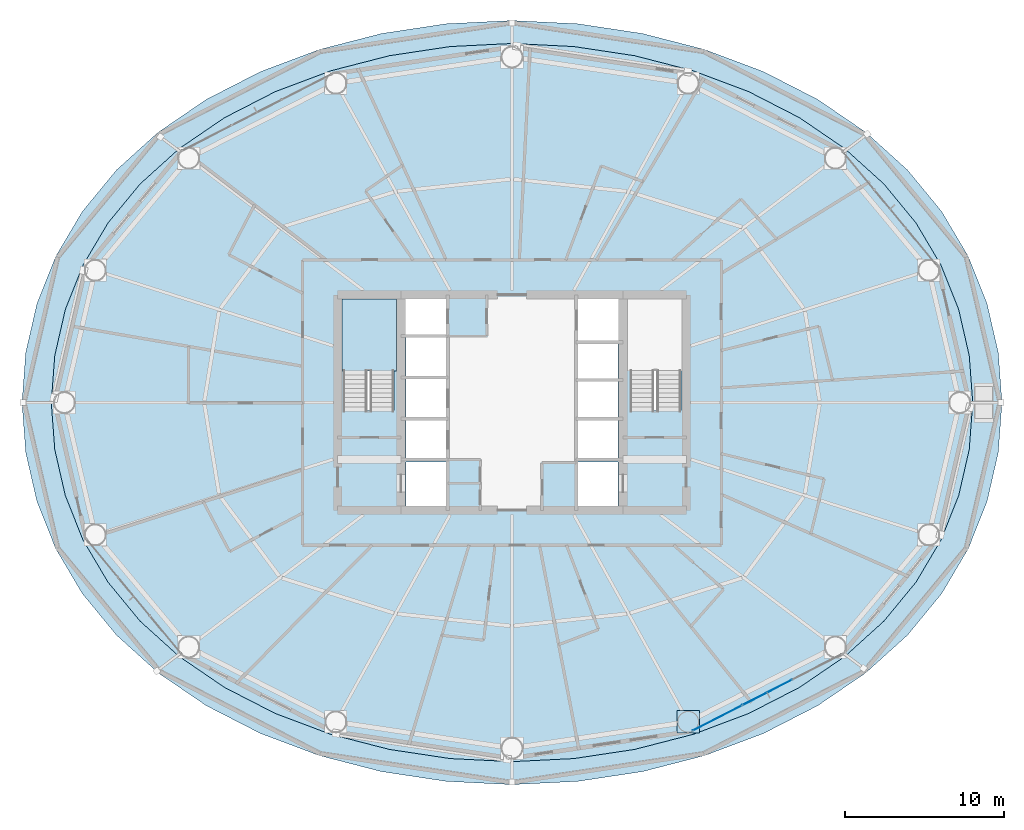
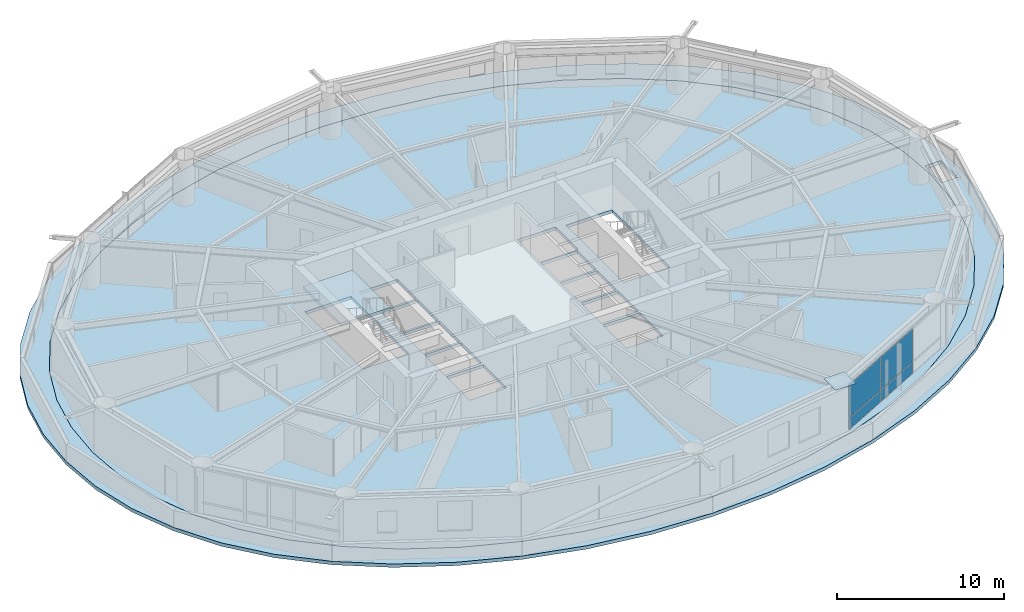
# One storey, part 15 of 25: 5 plates, 3 slabs, 2 elements without a shape of their own.
"""IFC4 building model written with IfcOpenShell, lengths in metres."""

from ifc_helpers import new_model, si_unit, direction, frame, origin, origin_2d, place, context, subcontext, project, spatial, polyline, rectangle, outline, extrude, material, layer, layer_set, type_object, element, aggregate, save


model = new_model("IFC4")

# Units and contexts
model_context = context("Model", 3, precision=1e-05, world=origin(), true_north=direction((0.0, 1.0)))
body_context = subcontext(model_context, "Body", "Model", "MODEL_VIEW")
ifc_project = project(units=[si_unit("LENGTHUNIT", "METRE"), si_unit("AREAUNIT", "SQUARE_METRE"), si_unit("VOLUMEUNIT", "CUBIC_METRE"), si_unit("PLANEANGLEUNIT", "RADIAN"), si_unit("MASSUNIT", "GRAM", prefix="KILO")], contexts=[model_context])

# Site, building, storey
site_placement = place(None, origin())
site = spatial("IfcSite", under=ifc_project, at=site_placement, CompositionType="ELEMENT")
building_placement = place(site_placement, origin())
building = spatial("IfcBuilding", under=site, at=building_placement, Name="Sarneth Arch Tower", CompositionType="ELEMENT")
storey_placement = place(building_placement, frame((0.0, 0.0, 84.0)))
storey = spatial("IfcBuildingStorey", under=building, at=storey_placement, Name="L20", CompositionType="ELEMENT", Elevation=84.0)

# Curtain wall, plates
ifc_material_1 = material(Name="Anodised aluminium Type AA25 and solar-control low-e laminated IGU", Category="aluminium")
ifc_layer_1 = layer(ifc_material_1, 0.159912109375)
ifc_layer_set_1 = layer_set([ifc_layer_1], Name="Anodised aluminium Type AA25 and solar-control low-e laminated IGU")
curtain_wall_type = type_object("IfcCurtainWallType", Name="CW-HOTEL-MID", PredefinedType="NOTDEFINED", material=ifc_layer_set_1)
curtain_wall_placement = place(storey_placement, origin())
curtain_wall = element("IfcCurtainWall", 1, at=curtain_wall_placement, inside=storey, type_object=curtain_wall_type, Name="L20 Unitised curtain wall facet 14", PredefinedType="NOTDEFINED")
ifc_material_2 = material(Name="Solar-control low-e laminated IGU", Category="glass")
ifc_layer_2 = layer(ifc_material_2, 0.028076171875)
ifc_layer_set_2 = layer_set([ifc_layer_2], Name="Solar-control low-e laminated IGU")
plate_type_1 = type_object("IfcPlateType", Name="CW-PANEL", PredefinedType="CURTAIN_PANEL", material=ifc_layer_set_2)
plate_1_placement = place(storey_placement, frame((60.946044921875, 22.094482421875, 0.06005859375), z_axis=(0.0, 0.0, 1.0), x_axis=(0.889963703649, 0.456031365356, 0.0)))
plate_1 = element("IfcPlate", 2, at=plate_1_placement, type_object=plate_type_1, Name="Curtain wall glazed vision pane CW-L20-F14/P00-00", PredefinedType="CURTAIN_PANEL", context=body_context, shape_type="SweptSolid", body=[
    extrude(rectangle(XDim=3.464111328125, YDim=0.028076171875, at=origin_2d()), origin(), (0.0, 0.0, 1.0), 0.81005859375),
])
plate_2_placement = place(storey_placement, frame((60.946044921875, 22.094482421875, 0.93017578125), z_axis=(0.0, 0.0, 1.0), x_axis=(0.889963703649, 0.456031365356, 0.0)))
plate_2 = element("IfcPlate", 3, at=plate_2_placement, type_object=plate_type_1, Name="Curtain wall glazed vision pane CW-L20-F14/P00-01", PredefinedType="CURTAIN_PANEL", context=body_context, shape_type="SweptSolid", body=[
    extrude(rectangle(XDim=3.464111328125, YDim=0.028076171875, at=origin_2d()), origin(), (0.0, 0.0, 1.0), 2.389892578125),
])
plate_3_placement = place(storey_placement, frame((64.095703125, 23.70849609375, 0.06005859375), z_axis=(0.0, 0.0, 1.0), x_axis=(0.889963703649, 0.456031365356, 0.0)))
plate_3 = element("IfcPlate", 4, at=plate_3_placement, type_object=plate_type_1, Name="Curtain wall glazed vision pane CW-L20-F14/P01-00", PredefinedType="CURTAIN_PANEL", context=body_context, shape_type="SweptSolid", body=[
    extrude(rectangle(XDim=3.493896484375, YDim=0.028076171875, at=origin_2d()), origin(), (0.0, 0.0, 1.0), 0.81005859375),
])
plate_4_placement = place(storey_placement, frame((64.095703125, 23.70849609375, 0.93017578125), z_axis=(0.0, 0.0, 1.0), x_axis=(0.889963703649, 0.456031365356, 0.0)))
plate_4 = element("IfcPlate", 5, at=plate_4_placement, type_object=plate_type_1, Name="Curtain wall glazed vision pane CW-L20-F14/P01-01", PredefinedType="CURTAIN_PANEL", context=body_context, shape_type="SweptSolid", body=[
    extrude(rectangle(XDim=3.493896484375, YDim=0.028076171875, at=origin_2d()), origin(), (0.0, 0.0, 1.0), 2.389892578125),
])
aggregate(curtain_wall, [plate_1, plate_2, plate_3, plate_4])

# Plate
ifc_material_3 = material(Name="Steel S355", Category="steel")
ifc_layer_3 = layer(ifc_material_3, 0.0400390625)
ifc_layer_set_3 = layer_set([ifc_layer_3], Name="Steel S355")
plate_type_2 = type_object("IfcPlateType", Name="PLT-SPLICE-40", PredefinedType="SHEET", material=ifc_layer_set_3)
plate_5_placement = place(storey_placement, frame((59.1103515625, 21.859375, 3.36181640625), z_axis=(0.0, 0.0, 1.0), x_axis=(1.0, 0.0, 0.0)))
element("IfcPlate", 6, at=plate_5_placement, inside=storey, type_object=plate_type_2, Name="Steel end cap plate GP-2", PredefinedType="SHEET", context=body_context, shape_type="SweptSolid", body=[
    extrude(rectangle(XDim=1.429931640625, YDim=1.429931640625, at=origin_2d()), origin(), (0.0, 0.0, 1.0), 0.035888671875),
])

# Stair, slab
ifc_material_4 = material(Name="Concrete C50/60", Category="concrete")
stair_type = type_object("IfcStairType", Name="STAIR-CORE-RC", PredefinedType="HALF_TURN_STAIR", material=ifc_material_4)
stair_placement = place(storey_placement, origin())
stair = element("IfcStair", 7, at=stair_placement, inside=storey, type_object=stair_type, Name="L20 Core Exit Stair 1", PredefinedType="HALF_TURN_STAIR")
ifc_material_5 = material(Name="Concrete C50/60", Category="concrete")
ifc_layer_4 = layer(ifc_material_5, 0.199951171875)
ifc_layer_set_4 = layer_set([ifc_layer_4], Name="Concrete C50/60")
slab_type_1 = type_object("IfcSlabType", Name="SLAB-LANDING-200", PredefinedType="LANDING", material=ifc_layer_set_4)
slab_1_placement = place(storey_placement, frame((0.0, 0.0, 1.60009765625)))
slab_1 = element("IfcSlab", 8, at=slab_1_placement, type_object=slab_type_1, Name="ST-1 landing 1", PredefinedType="LANDING", context=body_context, shape_type="SweptSolid", body=[
    extrude(outline(polyline([(37.27490234375, 43.985107421875), (40.72509765625, 43.985107421875), (40.72509765625, 48.52490234375), (37.27490234375, 48.52490234375), (37.27490234375, 43.985107421875)])), origin(), (0.0, 0.0, 1.0), 0.199951171875),
])
aggregate(stair, [slab_1])

# Slabs
ifc_material_6 = material(Name="Concrete C50/60", Category="concrete")
ifc_layer_5 = layer(ifc_material_6, 0.25)
ifc_layer_set_5 = layer_set([ifc_layer_5], Name="Concrete C50/60")
slab_type_2 = type_object("IfcSlabType", Name="SLAB-PODROOF-250", PredefinedType="ROOF", material=ifc_layer_set_5)
slab_2_placement = place(storey_placement, frame((0.0, 0.0, -0.25)))
element("IfcSlab", 9, at=slab_2_placement, inside=storey, type_object=slab_type_2, Name="L20 Setback maintenance roof ring", PredefinedType="ROOF", context=body_context, shape_type="SweptSolid", body=[
    extrude(outline(polyline([(78.90966796875, 42.0), (78.675048828125, 45.145751953125), (77.9677734375, 48.237548828125), (76.780029296875, 51.22265625), (75.10595703125, 54.050048828125), (72.94873046875, 56.671142578125), (70.32861328125, 59.041259765625), (67.2841796875, 61.119873046875), (63.8720703125, 62.87109375), (60.162109375, 64.265380859375), (56.2294921875, 65.27880859375), (52.150634765625, 65.893798828125), (48.0, 66.10009765625), (43.849365234375, 65.893798828125), (39.7705078125, 65.27880859375), (35.837890625, 64.265380859375), (32.1279296875, 62.87109375), (28.7158203125, 61.119873046875), (25.67138671875, 59.041259765625), (23.05126953125, 56.671142578125), (20.89404296875, 54.050048828125), (19.219970703125, 51.22265625), (18.0322265625, 48.237548828125), (17.324951171875, 45.145751953125), (17.09033203125, 42.0), (17.324951171875, 38.854248046875), (18.0322265625, 35.762451171875), (19.219970703125, 32.77734375), (20.89404296875, 29.949951171875), (23.05126953125, 27.328857421875), (25.67138671875, 24.958740234375), (28.7158203125, 22.880126953125), (32.1279296875, 21.12890625), (35.837890625, 19.734619140625), (39.7705078125, 18.72119140625), (43.849365234375, 18.106201171875), (48.0, 17.89990234375), (52.150634765625, 18.106201171875), (56.2294921875, 18.72119140625), (60.162109375, 19.734619140625), (63.8720703125, 21.12890625), (67.2841796875, 22.880126953125), (70.32861328125, 24.958740234375), (72.94873046875, 27.328857421875), (75.10595703125, 29.949951171875), (76.780029296875, 32.77734375), (77.9677734375, 35.762451171875), (78.675048828125, 38.854248046875), (78.90966796875, 42.0)]), holes=[polyline([(77.062744140625, 42.0), (76.84228515625, 44.956298828125), (76.17724609375, 47.8623046875), (75.060546875, 50.667724609375), (73.486328125, 53.324951171875), (71.458251953125, 55.788330078125), (68.994384765625, 58.015869140625), (66.132080078125, 59.969482421875), (62.923828125, 61.615478515625), (59.435302734375, 62.92578125), (55.73779296875, 63.878173828125), (51.902587890625, 64.456298828125), (48.0, 64.64990234375), (44.097412109375, 64.456298828125), (40.26220703125, 63.878173828125), (36.564697265625, 62.92578125), (33.076171875, 61.615478515625), (29.867919921875, 59.969482421875), (27.005615234375, 58.015869140625), (24.541748046875, 55.788330078125), (22.513671875, 53.324951171875), (20.939453125, 50.667724609375), (19.82275390625, 47.8623046875), (19.15771484375, 44.956298828125), (18.937255859375, 42.0), (19.15771484375, 39.043701171875), (19.82275390625, 36.1376953125), (20.939453125, 33.332275390625), (22.513671875, 30.675048828125), (24.541748046875, 28.211669921875), (27.005615234375, 25.984130859375), (29.867919921875, 24.030517578125), (33.076171875, 22.384521484375), (36.564697265625, 21.07421875), (40.26220703125, 20.121826171875), (44.097412109375, 19.543701171875), (48.0, 19.35009765625), (51.902587890625, 19.543701171875), (55.73779296875, 20.121826171875), (59.435302734375, 21.07421875), (62.923828125, 22.384521484375), (66.132080078125, 24.030517578125), (68.994384765625, 25.984130859375), (71.458251953125, 28.211669921875), (73.486328125, 30.675048828125), (75.060546875, 33.332275390625), (76.17724609375, 36.1376953125), (76.84228515625, 39.043701171875), (77.062744140625, 42.0)]), polyline([(77.199951171875, 41.0), (78.300048828125, 41.0), (78.300048828125, 43.0), (77.199951171875, 43.0), (77.199951171875, 41.0)])]), origin(), (0.0, 0.0, 1.0), 0.25),
])
ifc_material_7 = material(Name="Concrete C50/60", Category="concrete")
ifc_layer_6 = layer(ifc_material_7, 0.219970703125)
ifc_layer_set_6 = layer_set([ifc_layer_6], Name="Concrete C50/60")
slab_type_3 = type_object("IfcSlabType", Name="SLAB-TOWER-220", PredefinedType="FLOOR", material=ifc_layer_set_6)
slab_3_placement = place(storey_placement, frame((0.0, 0.0, -0.219970703125)))
element("IfcSlab", 10, at=slab_3_placement, inside=storey, type_object=slab_type_3, Name="L20 Elliptical floor slab", PredefinedType="FLOOR", context=body_context, shape_type="SweptSolid", body=[
    extrude(outline(polyline([(77.062744140625, 42.0), (76.84228515625, 44.956298828125), (76.17724609375, 47.8623046875), (75.060546875, 50.667724609375), (73.486328125, 53.324951171875), (71.458251953125, 55.788330078125), (68.994384765625, 58.015869140625), (66.132080078125, 59.969482421875), (62.923828125, 61.615478515625), (59.435302734375, 62.92578125), (55.73779296875, 63.878173828125), (51.902587890625, 64.456298828125), (48.0, 64.64990234375), (44.097412109375, 64.456298828125), (40.26220703125, 63.878173828125), (36.564697265625, 62.92578125), (33.076171875, 61.615478515625), (29.867919921875, 59.969482421875), (27.005615234375, 58.015869140625), (24.541748046875, 55.788330078125), (22.513671875, 53.324951171875), (20.939453125, 50.667724609375), (19.82275390625, 47.8623046875), (19.15771484375, 44.956298828125), (18.937255859375, 42.0), (19.15771484375, 39.043701171875), (19.82275390625, 36.1376953125), (20.939453125, 33.332275390625), (22.513671875, 30.675048828125), (24.541748046875, 28.211669921875), (27.005615234375, 25.984130859375), (29.867919921875, 24.030517578125), (33.076171875, 22.384521484375), (36.564697265625, 21.07421875), (40.26220703125, 20.121826171875), (44.097412109375, 19.543701171875), (48.0, 19.35009765625), (51.902587890625, 19.543701171875), (55.73779296875, 20.121826171875), (59.435302734375, 21.07421875), (62.923828125, 22.384521484375), (66.132080078125, 24.030517578125), (68.994384765625, 25.984130859375), (71.458251953125, 28.211669921875), (73.486328125, 30.675048828125), (75.060546875, 33.332275390625), (76.17724609375, 36.1376953125), (76.84228515625, 39.043701171875), (77.062744140625, 42.0)]), holes=[polyline([(37.35009765625, 41.489990234375), (40.550048828125, 41.489990234375), (40.550048828125, 48.39990234375), (37.35009765625, 48.39990234375), (37.35009765625, 41.489990234375)]), polyline([(55.449951171875, 41.489990234375), (58.64990234375, 41.489990234375), (58.64990234375, 48.39990234375), (55.449951171875, 48.39990234375), (55.449951171875, 41.489990234375)]), polyline([(41.199951171875, 46.25), (43.85009765625, 46.25), (43.85009765625, 48.550048828125), (41.199951171875, 48.550048828125), (41.199951171875, 46.25)]), polyline([(41.300048828125, 35.449951171875), (43.85009765625, 35.449951171875), (43.85009765625, 38.25), (41.300048828125, 38.25), (41.300048828125, 35.449951171875)]), polyline([(52.14990234375, 35.449951171875), (54.699951171875, 35.449951171875), (54.699951171875, 38.25), (52.14990234375, 38.25), (52.14990234375, 35.449951171875)]), polyline([(52.14990234375, 45.85009765625), (54.800048828125, 45.85009765625), (54.800048828125, 48.550048828125), (52.14990234375, 48.550048828125), (52.14990234375, 45.85009765625)]), polyline([(41.300048828125, 38.449951171875), (43.85009765625, 38.449951171875), (43.85009765625, 40.89990234375), (41.300048828125, 40.89990234375), (41.300048828125, 38.449951171875)]), polyline([(41.300048828125, 41.050048828125), (43.85009765625, 41.050048828125), (43.85009765625, 43.5), (41.300048828125, 43.5), (41.300048828125, 41.050048828125)]), polyline([(41.300048828125, 43.64990234375), (43.85009765625, 43.64990234375), (43.85009765625, 46.10009765625), (41.300048828125, 46.10009765625), (41.300048828125, 43.64990234375)]), polyline([(52.14990234375, 38.449951171875), (54.699951171875, 38.449951171875), (54.699951171875, 40.89990234375), (52.14990234375, 40.89990234375), (52.14990234375, 38.449951171875)]), polyline([(52.14990234375, 41.050048828125), (54.699951171875, 41.050048828125), (54.699951171875, 43.35009765625), (52.14990234375, 43.35009765625), (52.14990234375, 41.050048828125)]), polyline([(52.14990234375, 43.5), (54.699951171875, 43.5), (54.699951171875, 45.75), (52.14990234375, 45.75), (52.14990234375, 43.5)])]), origin(), (0.0, 0.0, 1.0), 0.219970703125),
])

save(model, "model.ifc")
